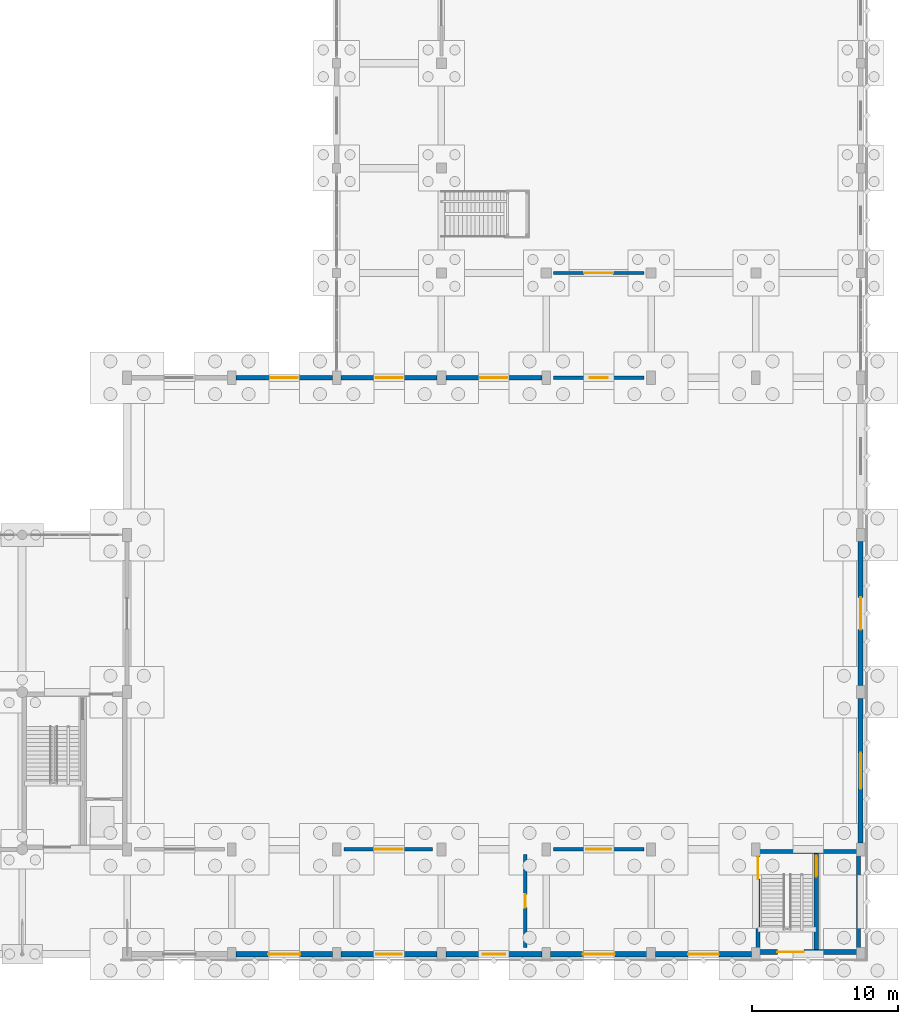
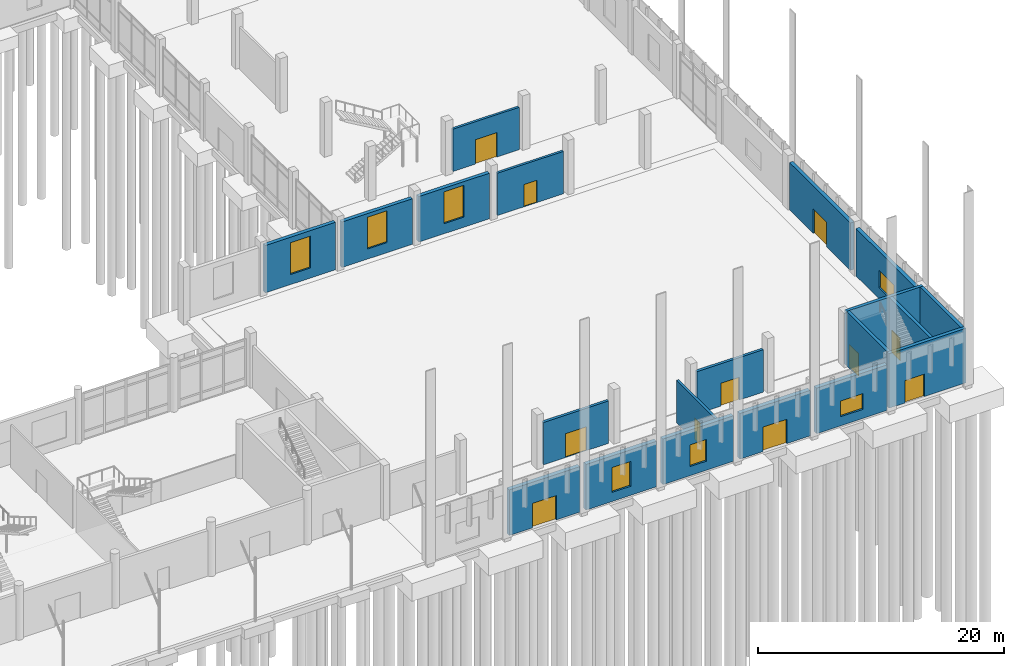
# One storey, part 89 of 109: 20 walls, 11 doors, 7 windows, 18 openings.
"""IFC4 building model written with IfcOpenShell, lengths in metres."""

from ifc_helpers import new_model, si_unit, direction, frame, frame_2d, origin, place, context, subcontext, project, spatial, rectangle, extrude, material, layer, layer_set, type_object, element, fill, save


model = new_model("IFC4")

# Units and contexts
model_context = context("Model", 3, precision=1e-05, world=origin(), true_north=direction((0.0, 1.0)))
body_context = subcontext(model_context, "Body", "Model", "MODEL_VIEW")
ifc_project = project(units=[si_unit("LENGTHUNIT", "METRE"), si_unit("AREAUNIT", "SQUARE_METRE"), si_unit("VOLUMEUNIT", "CUBIC_METRE"), si_unit("PLANEANGLEUNIT", "RADIAN"), si_unit("MASSUNIT", "GRAM", prefix="KILO")], contexts=[model_context])

# Site, building, storey
site_placement = place(None, origin())
site = spatial("IfcSite", under=ifc_project, at=site_placement, CompositionType="ELEMENT")
building_placement = place(site_placement, origin())
building = spatial("IfcBuilding", under=site, at=building_placement, Name="Lusvemor Sports Hall", CompositionType="ELEMENT")
storey_placement = place(building_placement, origin())
storey = spatial("IfcBuildingStorey", under=building, at=storey_placement, Name="L00", CompositionType="ELEMENT", Elevation=0.0)

# Wall, opening, door
ifc_material_1 = material(Name="Precast granite-faced Concrete C40/50 architectural cladding", Category="masonry")
ifc_layer_1 = layer(ifc_material_1, 0.39501953125)
ifc_layer_set_1 = layer_set([ifc_layer_1], Name="Precast granite-faced Concrete C40/50 architectural cladding")
wall_type_1 = type_object("IfcWallType", Name="EW_GRANITE_395", PredefinedType="STANDARD", material=ifc_layer_set_1)
wall_1_placement = place(storey_placement, frame((132.904052734375, 0.0, 0.0), z_axis=(0.0, 0.0, 1.0), x_axis=(-1.0, 0.0, 0.0)))
wall_1 = element("IfcWall", 1, at=wall_1_placement, inside=storey, type_object=wall_type_1, Name="Exterior Wall EW-V2S-L00-1", PredefinedType="STANDARD", context=body_context, shape_type="SweptSolid", body=[
    extrude(rectangle(XDim=6.608154296875, YDim=0.39501953125, at=frame_2d((3.30419921875, 0.0))), origin(), (0.0, 0.0, 1.0), 4.514892578125),
])
opening_1_placement = place(wall_1_placement, frame((2.194091796875, 0.0, 0.0)))
opening_1 = element("IfcOpeningElement", 2, at=opening_1_placement, cuts=wall_1, Name="Opening ED03", PredefinedType="OPENING", context=body_context, shape_type="SweptSolid", body=[
    extrude(rectangle(XDim=2.219970703125, YDim=2.419921875, at=frame_2d((1.10986328125, 1.2099609375))), frame((0.0, 0.197509765625, 0.0), z_axis=(0.0, -1.0, 0.0), x_axis=(1.0, 0.0, 0.0)), (0.0, 0.0, 1.0), 0.39501953125),
])
ifc_material_2 = material(Name="Thermally broken bronze-anodized aluminium", Category="aluminium")
door_type_1 = type_object("IfcDoorType", Name="EDR_COURT_EXIT_222x242", OperationType="NOTDEFINED", PredefinedType="DOOR", material=ifc_material_2)
door_1_placement = place(opening_1_placement, origin())
door_1 = element("IfcDoor", 3, at=door_1_placement, inside=storey, type_object=door_type_1, Name="DR-022", OperationType="SINGLE_SWING_RIGHT", OverallHeight=2.419921875, OverallWidth=2.219970703125, PredefinedType="DOOR", context=body_context, shape_type="SweptSolid", body=[
    extrude(rectangle(XDim=2.219970703125, YDim=2.419921875, at=frame_2d((1.10986328125, 1.2099609375))), frame((0.0, 0.02490234375, 0.0), z_axis=(0.0, -1.0, 0.0), x_axis=(1.0, 0.0, 0.0)), (0.0, 0.0, 1.0), 0.050048828125),
])
fill(opening_1, door_1)

# Wall, opening, window
wall_2_placement = place(storey_placement, frame((140.10400390625, 0.0, 0.0), z_axis=(0.0, 0.0, 1.0), x_axis=(-1.0, 0.0, 0.0)))
wall_2 = element("IfcWall", 4, at=wall_2_placement, inside=storey, type_object=wall_type_1, Name="Exterior Wall EW-V2S-L00-2", PredefinedType="STANDARD", context=body_context, shape_type="SweptSolid", body=[
    extrude(rectangle(XDim=6.60791015625, YDim=0.39501953125, at=frame_2d((3.303955078125, 0.0))), origin(), (0.0, 0.0, 1.0), 4.514892578125),
])
opening_2_placement = place(wall_2_placement, frame((2.424072265625, 0.0, 0.89990234375)))
opening_2 = element("IfcOpeningElement", 5, at=opening_2_placement, cuts=wall_2, Name="Opening WN30", PredefinedType="OPENING", context=body_context, shape_type="SweptSolid", body=[
    extrude(rectangle(XDim=1.760009765625, YDim=2.4599609375, at=frame_2d((0.8798828125, 1.22998046875))), frame((0.0, 0.197509765625, 0.0), z_axis=(0.0, -1.0, 0.0), x_axis=(1.0, 0.0, 0.0)), (0.0, 0.0, 1.0), 0.39501953125),
])
ifc_material_3 = material(Name="Solar-control laminated double glazing", Category="glass")
window_type_1 = type_object("IfcWindowType", Name="WIN_30", PartitioningType="SINGLE_PANEL", PredefinedType="WINDOW", material=ifc_material_3)
window_1_placement = place(opening_2_placement, origin())
window_1 = element("IfcWindow", 6, at=window_1_placement, inside=storey, type_object=window_type_1, Name="East Concourse Boulevard Window 2", OverallHeight=2.4599609375, OverallWidth=1.760009765625, PartitioningType="SINGLE_PANEL", PredefinedType="WINDOW", context=body_context, shape_type="SweptSolid", body=[
    extrude(rectangle(XDim=1.760009765625, YDim=2.4599609375, at=frame_2d((0.8798828125, 1.22998046875))), frame((0.0, 0.030029296875, 0.0), z_axis=(0.0, -1.0, 0.0), x_axis=(1.0, 0.0, 0.0)), (0.0, 0.0, 1.0), 0.06005859375),
])
fill(opening_2, window_1)

wall_3_placement = place(storey_placement, frame((147.303955078125, 0.0, 0.0), z_axis=(0.0, 0.0, 1.0), x_axis=(-1.0, 0.0, 0.0)))
wall_3 = element("IfcWall", 7, at=wall_3_placement, inside=storey, type_object=wall_type_1, Name="Exterior Wall EW-V2S-L00-3", PredefinedType="STANDARD", context=body_context, shape_type="SweptSolid", body=[
    extrude(rectangle(XDim=6.60791015625, YDim=0.39501953125, at=frame_2d((3.303955078125, 0.0))), origin(), (0.0, 0.0, 1.0), 4.514892578125),
])
opening_3_placement = place(wall_3_placement, frame((2.52392578125, 0.0, 0.89990234375)))
opening_3 = element("IfcOpeningElement", 8, at=opening_3_placement, cuts=wall_3, Name="Opening WN31", PredefinedType="OPENING", context=body_context, shape_type="SweptSolid", body=[
    extrude(rectangle(XDim=1.56005859375, YDim=2.159912109375, at=frame_2d((0.780029296875, 1.080078125))), frame((0.0, 0.197509765625, 0.0), z_axis=(0.0, -1.0, 0.0), x_axis=(1.0, 0.0, 0.0)), (0.0, 0.0, 1.0), 0.39501953125),
])
ifc_material_4 = material(Name="Solar-control laminated double glazing", Category="glass")
window_type_2 = type_object("IfcWindowType", Name="WIN_31", PartitioningType="SINGLE_PANEL", PredefinedType="WINDOW", material=ifc_material_4)
window_2_placement = place(opening_3_placement, origin())
window_2 = element("IfcWindow", 9, at=window_2_placement, inside=storey, type_object=window_type_2, Name="East Concourse Boulevard Window 3", OverallHeight=2.159912109375, OverallWidth=1.56005859375, PartitioningType="SINGLE_PANEL", PredefinedType="WINDOW", context=body_context, shape_type="SweptSolid", body=[
    extrude(rectangle(XDim=1.56005859375, YDim=2.159912109375, at=frame_2d((0.780029296875, 1.080078125))), frame((0.0, 0.030029296875, 0.0), z_axis=(0.0, -1.0, 0.0), x_axis=(1.0, 0.0, 0.0)), (0.0, 0.0, 1.0), 0.06005859375),
])
fill(opening_3, window_2)

# Wall, opening, door
wall_4_placement = place(storey_placement, frame((154.50390625, 0.0, 0.0), z_axis=(0.0, 0.0, 1.0), x_axis=(-1.0, 0.0, 0.0)))
wall_4 = element("IfcWall", 10, at=wall_4_placement, inside=storey, type_object=wall_type_1, Name="Exterior Wall EW-V2S-L00-4", PredefinedType="STANDARD", context=body_context, shape_type="SweptSolid", body=[
    extrude(rectangle(XDim=6.60791015625, YDim=0.39501953125, at=frame_2d((3.303955078125, 0.0))), origin(), (0.0, 0.0, 1.0), 4.514892578125),
])
opening_4_placement = place(wall_4_placement, frame((2.194091796875, 0.0, 0.0)))
opening_4 = element("IfcOpeningElement", 11, at=opening_4_placement, cuts=wall_4, Name="Opening ED03", PredefinedType="OPENING", context=body_context, shape_type="SweptSolid", body=[
    extrude(rectangle(XDim=2.219970703125, YDim=2.419921875, at=frame_2d((1.10986328125, 1.2099609375))), frame((0.0, 0.197509765625, 0.0), z_axis=(0.0, -1.0, 0.0), x_axis=(1.0, 0.0, 0.0)), (0.0, 0.0, 1.0), 0.39501953125),
])
door_2_placement = place(opening_4_placement, origin())
door_2 = element("IfcDoor", 12, at=door_2_placement, inside=storey, type_object=door_type_1, Name="DR-023", OperationType="SINGLE_SWING_LEFT", OverallHeight=2.419921875, OverallWidth=2.219970703125, PredefinedType="DOOR", context=body_context, shape_type="SweptSolid", body=[
    extrude(rectangle(XDim=2.219970703125, YDim=2.419921875, at=frame_2d((1.10986328125, 1.2099609375))), frame((0.0, 0.02490234375, 0.0), z_axis=(0.0, -1.0, 0.0), x_axis=(1.0, 0.0, 0.0)), (0.0, 0.0, 1.0), 0.050048828125),
])
fill(opening_4, door_2)

# Wall, opening, window
wall_5_placement = place(storey_placement, frame((161.7041015625, 0.0, 0.0), z_axis=(0.0, 0.0, 1.0), x_axis=(-1.0, 0.0, 0.0)))
wall_5 = element("IfcWall", 13, at=wall_5_placement, inside=storey, type_object=wall_type_1, Name="Exterior Wall EW-V2S-L00-5", PredefinedType="STANDARD", context=body_context, shape_type="SweptSolid", body=[
    extrude(rectangle(XDim=6.608154296875, YDim=0.39501953125, at=frame_2d((3.30419921875, 0.0))), origin(), (0.0, 0.0, 1.0), 4.514892578125),
])
opening_5_placement = place(wall_5_placement, frame((2.243896484375, 0.0, 0.89990234375)))
opening_5 = element("IfcOpeningElement", 14, at=opening_5_placement, cuts=wall_5, Name="Opening WN33", PredefinedType="OPENING", context=body_context, shape_type="SweptSolid", body=[
    extrude(rectangle(XDim=2.1201171875, YDim=1.56005859375, at=frame_2d((1.06005859375, 0.780029296875))), frame((0.0, 0.197509765625, 0.0), z_axis=(0.0, -1.0, 0.0), x_axis=(1.0, 0.0, 0.0)), (0.0, 0.0, 1.0), 0.39501953125),
])
ifc_material_5 = material(Name="Solar-control laminated double glazing", Category="glass")
window_type_3 = type_object("IfcWindowType", Name="WIN_33", PartitioningType="SINGLE_PANEL", PredefinedType="WINDOW", material=ifc_material_5)
window_3_placement = place(opening_5_placement, origin())
window_3 = element("IfcWindow", 15, at=window_3_placement, inside=storey, type_object=window_type_3, Name="East Concourse Boulevard Window 5", OverallHeight=1.56005859375, OverallWidth=2.1201171875, PartitioningType="SINGLE_PANEL", PredefinedType="WINDOW", context=body_context, shape_type="SweptSolid", body=[
    extrude(rectangle(XDim=2.1201171875, YDim=1.56005859375, at=frame_2d((1.06005859375, 0.780029296875))), frame((0.0, 0.030029296875, 0.0), z_axis=(0.0, -1.0, 0.0), x_axis=(1.0, 0.0, 0.0)), (0.0, 0.0, 1.0), 0.06005859375),
])
fill(opening_5, window_3)

ifc_material_6 = material(Name="Warm terracotta Art Nouveau ceramic cladding on Concrete C40/50 backing", Category="masonry")
ifc_layer_2 = layer(ifc_material_6, 0.340087890625)
ifc_layer_set_2 = layer_set([ifc_layer_2], Name="Warm terracotta Art Nouveau ceramic cladding on Concrete C40/50 backing")
wall_type_2 = type_object("IfcWallType", Name="EW_TERR_CAV_340", PredefinedType="STANDARD", material=ifc_layer_set_2)
wall_6_placement = place(storey_placement, frame((126.2958984375, 39.60009765625, 0.0), z_axis=(0.0, 0.0, 1.0), x_axis=(1.0, 0.0, 0.0)))
wall_6 = element("IfcWall", 16, at=wall_6_placement, inside=storey, type_object=wall_type_2, Name="Exterior Wall EW-V2N-L00-1", PredefinedType="STANDARD", context=body_context, shape_type="SweptSolid", body=[
    extrude(rectangle(XDim=6.608154296875, YDim=0.340087890625, at=frame_2d((3.30419921875, 0.0))), origin(), (0.0, 0.0, 1.0), 4.699951171875),
])
opening_6_placement = place(wall_6_placement, frame((2.37890625, 0.0, 1.0)))
opening_6 = element("IfcOpeningElement", 17, at=opening_6_placement, cuts=wall_6, Name="Opening WN04", PredefinedType="OPENING", context=body_context, shape_type="SweptSolid", body=[
    extrude(rectangle(XDim=1.85009765625, YDim=3.14990234375, at=frame_2d((0.925048828125, 1.574951171875))), frame((0.0, 0.169921875, 0.0), z_axis=(0.0, -1.0, 0.0), x_axis=(1.0, 0.0, 0.0)), (0.0, 0.0, 1.0), 0.340087890625),
])
ifc_material_7 = material(Name="Solar-control laminated double glazing", Category="glass")
window_type_4 = type_object("IfcWindowType", Name="WIN_04", PartitioningType="SINGLE_PANEL", PredefinedType="WINDOW", material=ifc_material_7)
window_4_placement = place(opening_6_placement, origin())
window_4 = element("IfcWindow", 18, at=window_4_placement, inside=storey, type_object=window_type_4, Name="Court 2/3 North Window L00-1", OverallHeight=3.14990234375, OverallWidth=1.85009765625, PartitioningType="SINGLE_PANEL", PredefinedType="WINDOW", context=body_context, shape_type="SweptSolid", body=[
    extrude(rectangle(XDim=1.85009765625, YDim=3.14990234375, at=frame_2d((0.925048828125, 1.574951171875))), frame((0.0, 0.030029296875, 0.0), z_axis=(0.0, -1.0, 0.0), x_axis=(1.0, 0.0, 0.0)), (0.0, 0.0, 1.0), 0.06005859375),
])
fill(opening_6, window_4)

wall_7_placement = place(storey_placement, frame((133.49609375, 39.60009765625, 0.0), z_axis=(0.0, 0.0, 1.0), x_axis=(1.0, 0.0, 0.0)))
wall_7 = element("IfcWall", 19, at=wall_7_placement, inside=storey, type_object=wall_type_2, Name="Exterior Wall EW-V2N-L00-2", PredefinedType="STANDARD", context=body_context, shape_type="SweptSolid", body=[
    extrude(rectangle(XDim=6.60791015625, YDim=0.340087890625, at=frame_2d((3.303955078125, 0.0))), origin(), (0.0, 0.0, 1.0), 4.514892578125),
])
opening_7_placement = place(wall_7_placement, frame((2.37890625, 0.0, 1.0)))
opening_7 = element("IfcOpeningElement", 20, at=opening_7_placement, cuts=wall_7, Name="Opening WN04", PredefinedType="OPENING", context=body_context, shape_type="SweptSolid", body=[
    extrude(rectangle(XDim=1.85009765625, YDim=3.14990234375, at=frame_2d((0.925048828125, 1.574951171875))), frame((0.0, 0.169921875, 0.0), z_axis=(0.0, -1.0, 0.0), x_axis=(1.0, 0.0, 0.0)), (0.0, 0.0, 1.0), 0.340087890625),
])
window_5_placement = place(opening_7_placement, origin())
window_5 = element("IfcWindow", 21, at=window_5_placement, inside=storey, type_object=window_type_4, Name="Court 2/3 North Window L00-2", OverallHeight=3.14990234375, OverallWidth=1.85009765625, PartitioningType="SINGLE_PANEL", PredefinedType="WINDOW", context=body_context, shape_type="SweptSolid", body=[
    extrude(rectangle(XDim=1.85009765625, YDim=3.14990234375, at=frame_2d((0.925048828125, 1.574951171875))), frame((0.0, 0.030029296875, 0.0), z_axis=(0.0, -1.0, 0.0), x_axis=(1.0, 0.0, 0.0)), (0.0, 0.0, 1.0), 0.06005859375),
])
fill(opening_7, window_5)

wall_8_placement = place(storey_placement, frame((140.696044921875, 39.60009765625, 0.0), z_axis=(0.0, 0.0, 1.0), x_axis=(1.0, 0.0, 0.0)))
wall_8 = element("IfcWall", 22, at=wall_8_placement, inside=storey, type_object=wall_type_2, Name="Exterior Wall EW-V2N-L00-3", PredefinedType="STANDARD", context=body_context, shape_type="SweptSolid", body=[
    extrude(rectangle(XDim=6.60791015625, YDim=0.340087890625, at=frame_2d((3.303955078125, 0.0))), origin(), (0.0, 0.0, 1.0), 4.514892578125),
])
opening_8_placement = place(wall_8_placement, frame((2.37890625, 0.0, 1.0)))
opening_8 = element("IfcOpeningElement", 23, at=opening_8_placement, cuts=wall_8, Name="Opening WN04", PredefinedType="OPENING", context=body_context, shape_type="SweptSolid", body=[
    extrude(rectangle(XDim=1.85009765625, YDim=3.14990234375, at=frame_2d((0.925048828125, 1.574951171875))), frame((0.0, 0.169921875, 0.0), z_axis=(0.0, -1.0, 0.0), x_axis=(1.0, 0.0, 0.0)), (0.0, 0.0, 1.0), 0.340087890625),
])
window_6_placement = place(opening_8_placement, origin())
window_6 = element("IfcWindow", 24, at=window_6_placement, inside=storey, type_object=window_type_4, Name="Court 2/3 North Window L00-3", OverallHeight=3.14990234375, OverallWidth=1.85009765625, PartitioningType="SINGLE_PANEL", PredefinedType="WINDOW", context=body_context, shape_type="SweptSolid", body=[
    extrude(rectangle(XDim=1.85009765625, YDim=3.14990234375, at=frame_2d((0.925048828125, 1.574951171875))), frame((0.0, 0.030029296875, 0.0), z_axis=(0.0, -1.0, 0.0), x_axis=(1.0, 0.0, 0.0)), (0.0, 0.0, 1.0), 0.06005859375),
])
fill(opening_8, window_6)

wall_9_placement = place(storey_placement, frame((169.199951171875, 17.553955078125, 0.0), z_axis=(0.0, 0.0, 1.0), x_axis=(0.0, -1.0, 0.0)))
wall_9 = element("IfcWall", 25, at=wall_9_placement, inside=storey, type_object=wall_type_2, Name="Exterior Wall EW-V2E-L00-1", PredefinedType="STANDARD", context=body_context, shape_type="SweptSolid", body=[
    extrude(rectangle(XDim=9.907958984375, YDim=0.340087890625, at=frame_2d((4.9541015625, 0.0))), origin(), (0.0, 0.0, 1.0), 4.699951171875),
])
opening_9_placement = place(wall_9_placement, frame((3.714111328125, 0.0, 1.10009765625)))
opening_9 = element("IfcOpeningElement", 26, at=opening_9_placement, cuts=wall_9, Name="Opening WN34", PredefinedType="OPENING", context=body_context, shape_type="SweptSolid", body=[
    extrude(rectangle(XDim=2.47998046875, YDim=1.739990234375, at=frame_2d((1.239990234375, 0.8701171875))), frame((0.0, 0.169921875, 0.0), z_axis=(0.0, -1.0, 0.0), x_axis=(1.0, 0.0, 0.0)), (0.0, 0.0, 1.0), 0.340087890625),
])
ifc_material_8 = material(Name="Solar-control laminated double glazing", Category="glass")
window_type_5 = type_object("IfcWindowType", Name="WIN_34", PartitioningType="SINGLE_PANEL", PredefinedType="WINDOW", material=ifc_material_8)
window_7_placement = place(opening_9_placement, origin())
window_7 = element("IfcWindow", 27, at=window_7_placement, inside=storey, type_object=window_type_5, Name="East Facade Window L00-1", OverallHeight=1.739990234375, OverallWidth=2.47998046875, PartitioningType="SINGLE_PANEL", PredefinedType="WINDOW", context=body_context, shape_type="SweptSolid", body=[
    extrude(rectangle(XDim=2.47998046875, YDim=1.739990234375, at=frame_2d((1.239990234375, 0.8701171875))), frame((0.0, 0.030029296875, 0.0), z_axis=(0.0, -1.0, 0.0), x_axis=(1.0, 0.0, 0.0)), (0.0, 0.0, 1.0), 0.06005859375),
])
fill(opening_9, window_7)

# Wall, opening, door
wall_10_placement = place(storey_placement, frame((169.199951171875, 28.35400390625, 0.0), z_axis=(0.0, 0.0, 1.0), x_axis=(0.0, -1.0, 0.0)))
wall_10 = element("IfcWall", 28, at=wall_10_placement, inside=storey, type_object=wall_type_2, Name="Exterior Wall EW-V2E-L00-2", PredefinedType="STANDARD", context=body_context, shape_type="SweptSolid", body=[
    extrude(rectangle(XDim=9.907958984375, YDim=0.340087890625, at=frame_2d((4.9541015625, 0.0))), origin(), (0.0, 0.0, 1.0), 4.699951171875),
])
opening_10_placement = place(wall_10_placement, frame((3.843994140625, 0.0, 0.0)))
opening_10 = element("IfcOpeningElement", 29, at=opening_10_placement, cuts=wall_10, Name="Opening ED03", PredefinedType="OPENING", context=body_context, shape_type="SweptSolid", body=[
    extrude(rectangle(XDim=2.219970703125, YDim=2.419921875, at=frame_2d((1.10986328125, 1.2099609375))), frame((0.0, 0.169921875, 0.0), z_axis=(0.0, -1.0, 0.0), x_axis=(1.0, 0.0, 0.0)), (0.0, 0.0, 1.0), 0.340087890625),
])
door_3_placement = place(opening_10_placement, origin())
door_3 = element("IfcDoor", 30, at=door_3_placement, inside=storey, type_object=door_type_1, Name="DR-024", OperationType="SINGLE_SWING_LEFT", OverallHeight=2.419921875, OverallWidth=2.219970703125, PredefinedType="DOOR", context=body_context, shape_type="SweptSolid", body=[
    extrude(rectangle(XDim=2.219970703125, YDim=2.419921875, at=frame_2d((1.10986328125, 1.2099609375))), frame((0.0, 0.02490234375, 0.0), z_axis=(0.0, -1.0, 0.0), x_axis=(1.0, 0.0, 0.0)), (0.0, 0.0, 1.0), 0.050048828125),
])
fill(opening_10, door_3)

ifc_material_9 = material(Name="Plastered ceramic masonry blockwork", Category="masonry")
ifc_layer_3 = layer(ifc_material_9, 0.219970703125)
ifc_layer_set_3 = layer_set([ifc_layer_3], Name="Plastered ceramic masonry blockwork")
wall_type_3 = type_object("IfcWallType", Name="IW_COMP_224", PredefinedType="STANDARD", material=ifc_layer_set_3)
wall_11_placement = place(storey_placement, frame((146.14990234375, 0.449951171875, 0.0), z_axis=(0.0, 0.0, 1.0), x_axis=(0.0, 1.0, 0.0)))
wall_11 = element("IfcWall", 31, at=wall_11_placement, inside=storey, type_object=wall_type_3, Name="Partition IW-L00-V2SDIV", PredefinedType="STANDARD", context=body_context, shape_type="SweptSolid", body=[
    extrude(rectangle(XDim=6.400146484375, YDim=0.219970703125, at=frame_2d((3.2001953125, 0.0))), origin(), (0.0, 0.0, 1.0), 4.199951171875),
])
opening_11_placement = place(wall_11_placement, frame((2.739990234375, 0.0, 0.0)))
opening_11 = element("IfcOpeningElement", 32, at=opening_11_placement, cuts=wall_11, Name="Opening ID13", PredefinedType="OPENING", context=body_context, shape_type="SweptSolid", body=[
    extrude(rectangle(XDim=0.919921875, YDim=2.1201171875, at=frame_2d((0.4599609375, 1.06005859375))), frame((0.0, 0.10986328125, 0.0), z_axis=(0.0, -1.0, 0.0), x_axis=(1.0, 0.0, 0.0)), (0.0, 0.0, 1.0), 0.219970703125),
])
ifc_material_10 = material(Name="Acoustic solid-core hardwood door leaf in steel frame", Category="steel")
door_type_2 = type_object("IfcDoorType", Name="IDR_ADMIN_092", OperationType="NOTDEFINED", PredefinedType="DOOR", material=ifc_material_10)
door_4_placement = place(opening_11_placement, origin())
door_4 = element("IfcDoor", 33, at=door_4_placement, inside=storey, type_object=door_type_2, Name="DR-152", OperationType="SINGLE_SWING_RIGHT", OverallHeight=2.1201171875, OverallWidth=0.919921875, PredefinedType="DOOR", context=body_context, shape_type="SweptSolid", body=[
    extrude(rectangle(XDim=0.919921875, YDim=2.1201171875, at=frame_2d((0.4599609375, 1.06005859375))), frame((0.0, 0.02490234375, 0.0), z_axis=(0.0, -1.0, 0.0), x_axis=(1.0, 0.0, 0.0)), (0.0, 0.0, 1.0), 0.050048828125),
])
fill(opening_11, door_4)

wall_12_placement = place(storey_placement, frame((148.10009765625, 39.60009765625, 0.0), z_axis=(0.0, 0.0, 1.0), x_axis=(1.0, 0.0, 0.0)))
wall_12 = element("IfcWall", 34, at=wall_12_placement, inside=storey, type_object=wall_type_3, Name="Partition IW-L00-ELINK-S", PredefinedType="STANDARD", context=body_context, shape_type="SweptSolid", body=[
    extrude(rectangle(XDim=6.199951171875, YDim=0.219970703125, at=frame_2d((3.10009765625, 0.0))), origin(), (0.0, 0.0, 1.0), 4.199951171875),
])
opening_12_placement = place(wall_12_placement, frame((2.469970703125, 0.0, 0.0)))
opening_12 = element("IfcOpeningElement", 35, at=opening_12_placement, cuts=wall_12, Name="Opening ID07", PredefinedType="OPENING", context=body_context, shape_type="SweptSolid", body=[
    extrude(rectangle(XDim=1.260009765625, YDim=2.199951171875, at=frame_2d((0.6298828125, 1.10009765625))), frame((0.0, 0.10986328125, 0.0), z_axis=(0.0, -1.0, 0.0), x_axis=(1.0, 0.0, 0.0)), (0.0, 0.0, 1.0), 0.219970703125),
])
ifc_material_11 = material(Name="Acoustic solid-core hardwood door leaf in steel frame", Category="steel")
door_type_3 = type_object("IfcDoorType", Name="IDR_CLINIC_126", OperationType="NOTDEFINED", PredefinedType="DOOR", material=ifc_material_11)
door_5_placement = place(opening_12_placement, origin())
door_5 = element("IfcDoor", 36, at=door_5_placement, inside=storey, type_object=door_type_3, Name="DR-153", OperationType="SINGLE_SWING_LEFT", OverallHeight=2.199951171875, OverallWidth=1.260009765625, PredefinedType="DOOR", context=body_context, shape_type="SweptSolid", body=[
    extrude(rectangle(XDim=1.260009765625, YDim=2.199951171875, at=frame_2d((0.6298828125, 1.10009765625))), frame((0.0, 0.02490234375, 0.0), z_axis=(0.0, -1.0, 0.0), x_axis=(1.0, 0.0, 0.0)), (0.0, 0.0, 1.0), 0.050048828125),
])
fill(opening_12, door_5)

wall_13_placement = place(storey_placement, frame((148.10009765625, 46.800048828125, 0.0), z_axis=(0.0, 0.0, 1.0), x_axis=(1.0, 0.0, 0.0)))
wall_13 = element("IfcWall", 37, at=wall_13_placement, inside=storey, type_object=wall_type_3, Name="Partition IW-L00-ELINK-N", PredefinedType="STANDARD", context=body_context, shape_type="SweptSolid", body=[
    extrude(rectangle(XDim=6.199951171875, YDim=0.219970703125, at=frame_2d((3.10009765625, 0.0))), origin(), (0.0, 0.0, 1.0), 4.199951171875),
])
opening_13_placement = place(wall_13_placement, frame((2.10009765625, 0.0, 0.0)))
opening_13 = element("IfcOpeningElement", 38, at=opening_13_placement, cuts=wall_13, Name="Opening ID03", PredefinedType="OPENING", context=body_context, shape_type="SweptSolid", body=[
    extrude(rectangle(XDim=2.0, YDim=2.419921875, at=frame_2d((1.0, 1.2099609375))), frame((0.0, 0.10986328125, 0.0), z_axis=(0.0, -1.0, 0.0), x_axis=(1.0, 0.0, 0.0)), (0.0, 0.0, 1.0), 0.219970703125),
])
ifc_material_12 = material(Name="Acoustic solid-core hardwood door leaf in steel frame", Category="steel")
door_type_4 = type_object("IfcDoorType", Name="IDR_CLIMB_DBL_200", OperationType="NOTDEFINED", PredefinedType="DOOR", material=ifc_material_12)
door_6_placement = place(opening_13_placement, origin())
door_6 = element("IfcDoor", 39, at=door_6_placement, inside=storey, type_object=door_type_4, Name="DR-154", OperationType="SINGLE_SWING_RIGHT", OverallHeight=2.419921875, OverallWidth=2.0, PredefinedType="DOOR", context=body_context, shape_type="SweptSolid", body=[
    extrude(rectangle(XDim=2.0, YDim=2.419921875, at=frame_2d((1.0, 1.2099609375))), frame((0.0, 0.02490234375, 0.0), z_axis=(0.0, -1.0, 0.0), x_axis=(1.0, 0.0, 0.0)), (0.0, 0.0, 1.0), 0.050048828125),
])
fill(opening_13, door_6)

ifc_material_13 = material(Name="Plastered ceramic masonry blockwork", Category="masonry")
ifc_layer_4 = layer(ifc_material_13, 0.25)
ifc_layer_set_4 = layer_set([ifc_layer_4], Name="Plastered ceramic masonry blockwork")
wall_type_4 = type_object("IfcWallType", Name="IW_COMP_248", PredefinedType="STANDARD", material=ifc_layer_set_4)
wall_14_placement = place(storey_placement, frame((133.699951171875, 7.199951171875, 0.0), z_axis=(0.0, 0.0, 1.0), x_axis=(1.0, 0.0, 0.0)))
wall_14 = element("IfcWall", 40, at=wall_14_placement, inside=storey, type_object=wall_type_4, Name="Partition IW-L00-V2S-2", PredefinedType="STANDARD", context=body_context, shape_type="SweptSolid", body=[
    extrude(rectangle(XDim=6.10009765625, YDim=0.25, at=frame_2d((3.050048828125, 0.0))), origin(), (0.0, 0.0, 1.0), 4.199951171875),
])
opening_14_placement = place(wall_14_placement, frame((2.070068359375, 0.0, 0.0)))
opening_14 = element("IfcOpeningElement", 41, at=opening_14_placement, cuts=wall_14, Name="Opening ID02", PredefinedType="OPENING", context=body_context, shape_type="SweptSolid", body=[
    extrude(rectangle(XDim=1.9599609375, YDim=2.360107421875, at=frame_2d((0.97998046875, 1.18017578125))), frame((0.0, 0.125, 0.0), z_axis=(0.0, -1.0, 0.0), x_axis=(1.0, 0.0, 0.0)), (0.0, 0.0, 1.0), 0.25),
])
ifc_material_14 = material(Name="Acoustic solid-core hardwood door leaf in steel frame", Category="steel")
door_type_5 = type_object("IfcDoorType", Name="IDR_COURT_DBL_196", OperationType="NOTDEFINED", PredefinedType="DOOR", material=ifc_material_14)
door_7_placement = place(opening_14_placement, origin())
door_7 = element("IfcDoor", 42, at=door_7_placement, inside=storey, type_object=door_type_5, Name="DR-150", OperationType="SINGLE_SWING_RIGHT", OverallHeight=2.360107421875, OverallWidth=1.9599609375, PredefinedType="DOOR", context=body_context, shape_type="SweptSolid", body=[
    extrude(rectangle(XDim=1.9599609375, YDim=2.360107421875, at=frame_2d((0.97998046875, 1.18017578125))), frame((0.0, 0.02490234375, 0.0), z_axis=(0.0, -1.0, 0.0), x_axis=(1.0, 0.0, 0.0)), (0.0, 0.0, 1.0), 0.050048828125),
])
fill(opening_14, door_7)

wall_15_placement = place(storey_placement, frame((148.10009765625, 7.199951171875, 0.0), z_axis=(0.0, 0.0, 1.0), x_axis=(1.0, 0.0, 0.0)))
wall_15 = element("IfcWall", 43, at=wall_15_placement, inside=storey, type_object=wall_type_4, Name="Partition IW-L00-V2S-3", PredefinedType="STANDARD", context=body_context, shape_type="SweptSolid", body=[
    extrude(rectangle(XDim=6.199951171875, YDim=0.25, at=frame_2d((3.10009765625, 0.0))), origin(), (0.0, 0.0, 1.0), 4.199951171875),
])
opening_15_placement = place(wall_15_placement, frame((2.25, 0.0, 0.0)))
opening_15 = element("IfcOpeningElement", 44, at=opening_15_placement, cuts=wall_15, Name="Opening DR-FD60-03", PredefinedType="OPENING", context=body_context, shape_type="SweptSolid", body=[
    extrude(rectangle(XDim=1.699951171875, YDim=2.260009765625, at=frame_2d((0.85009765625, 1.1298828125))), frame((0.0, 0.125, 0.0), z_axis=(0.0, -1.0, 0.0), x_axis=(1.0, 0.0, 0.0)), (0.0, 0.0, 1.0), 0.25),
])
ifc_material_15 = material(Name="Fire-rated insulated painted steel door assembly", Category="steel")
door_type_6 = type_object("IfcDoorType", Name="IDR_STORE_FD60_170", OperationType="NOTDEFINED", PredefinedType="DOOR", material=ifc_material_15)
door_8_placement = place(opening_15_placement, origin())
door_8 = element("IfcDoor", 45, at=door_8_placement, inside=storey, type_object=door_type_6, Name="DR-151", OperationType="SINGLE_SWING_LEFT", OverallHeight=2.260009765625, OverallWidth=1.699951171875, PredefinedType="DOOR", context=body_context, shape_type="SweptSolid", body=[
    extrude(rectangle(XDim=1.699951171875, YDim=2.260009765625, at=frame_2d((0.85009765625, 1.1298828125))), frame((0.0, 0.02490234375, 0.0), z_axis=(0.0, -1.0, 0.0), x_axis=(1.0, 0.0, 0.0)), (0.0, 0.0, 1.0), 0.050048828125),
])
fill(opening_15, door_8)

# Wall
ifc_material_16 = material(Name="Concrete C40/50", Category="concrete")
ifc_layer_5 = layer(ifc_material_16, 0.300048828125)
ifc_layer_set_5 = layer_set([ifc_layer_5], Name="Concrete C40/50")
wall_type_5 = type_object("IfcWallType", Name="WALL_CORE_300_INT", PredefinedType="SHEAR", material=ifc_layer_set_5)
wall_16_placement = place(storey_placement, frame((162.0, 7.050048828125, 0.0), z_axis=(0.0, 0.0, 1.0), x_axis=(1.0, 0.0, 0.0)))
element("IfcWall", 46, at=wall_16_placement, inside=storey, type_object=wall_type_5, Name="Core C8 Southeast Stacked Shear Wall N (L00)", PredefinedType="SHEAR", context=body_context, shape_type="SweptSolid", body=[
    extrude(rectangle(XDim=7.199951171875, YDim=0.300048828125, at=frame_2d((3.60009765625, 0.0))), origin(), (0.0, 0.0, 1.0), 5.39990234375),
])

# Wall, opening, door
wall_17_placement = place(storey_placement, frame((162.14990234375, 0.300048828125, 0.0), z_axis=(0.0, 0.0, 1.0), x_axis=(0.0, 1.0, 0.0)))
wall_17 = element("IfcWall", 47, at=wall_17_placement, inside=storey, type_object=wall_type_5, Name="Core C8 Southeast Stacked Shear Wall W (L00)", PredefinedType="SHEAR", context=body_context, shape_type="SweptSolid", body=[
    extrude(rectangle(XDim=6.599853515625, YDim=0.300048828125, at=frame_2d((3.2998046875, 0.0))), origin(), (0.0, 0.0, 1.0), 5.39990234375),
])
opening_16_placement = place(wall_17_placement, frame((4.860107421875, 0.0, 0.0)))
opening_16 = element("IfcOpeningElement", 48, at=opening_16_placement, cuts=wall_17, Name="Opening DR-FD60-01", PredefinedType="OPENING", context=body_context, shape_type="SweptSolid", body=[
    extrude(rectangle(XDim=1.5400390625, YDim=2.219970703125, at=frame_2d((0.77001953125, 1.10986328125))), frame((0.0, 0.14990234375, 0.0), z_axis=(0.0, -1.0, 0.0), x_axis=(1.0, 0.0, 0.0)), (0.0, 0.0, 1.0), 0.300048828125),
])
ifc_material_17 = material(Name="Fire-rated insulated painted steel door assembly", Category="steel")
door_type_7 = type_object("IfcDoorType", Name="IDR_LOBBY_FD60_154", OperationType="NOTDEFINED", PredefinedType="DOOR", material=ifc_material_17)
door_9_placement = place(opening_16_placement, origin())
door_9 = element("IfcDoor", 49, at=door_9_placement, inside=storey, type_object=door_type_7, Name="DR-126", OperationType="SINGLE_SWING_LEFT", OverallHeight=2.219970703125, OverallWidth=1.5400390625, PredefinedType="DOOR", context=body_context, shape_type="SweptSolid", body=[
    extrude(rectangle(XDim=1.5400390625, YDim=2.219970703125, at=frame_2d((0.77001953125, 1.10986328125))), frame((0.0, 0.02490234375, 0.0), z_axis=(0.0, -1.0, 0.0), x_axis=(1.0, 0.0, 0.0)), (0.0, 0.0, 1.0), 0.050048828125),
])
fill(opening_16, door_9)

# Wall
wall_18_placement = place(storey_placement, frame((169.050048828125, 6.89990234375, 0.0), z_axis=(0.0, 0.0, 1.0), x_axis=(0.0, -1.0, 0.0)))
element("IfcWall", 50, at=wall_18_placement, inside=storey, type_object=wall_type_5, Name="Core C8 Southeast Stacked Shear Wall E (L00)", PredefinedType="SHEAR", context=body_context, shape_type="SweptSolid", body=[
    extrude(rectangle(XDim=6.599853515625, YDim=0.300048828125, at=frame_2d((3.2998046875, 0.0))), origin(), (0.0, 0.0, 1.0), 5.39990234375),
])

# Wall, opening, door
wall_19_placement = place(storey_placement, frame((166.14990234375, 0.300048828125, 0.0), z_axis=(0.0, 0.0, 1.0), x_axis=(0.0, 1.0, 0.0)))
wall_19 = element("IfcWall", 51, at=wall_19_placement, inside=storey, type_object=wall_type_5, Name="Core C8 Southeast Stacked Shear Wall M (L00)", PredefinedType="SHEAR", context=body_context, shape_type="SweptSolid", body=[
    extrude(rectangle(XDim=6.599853515625, YDim=0.300048828125, at=frame_2d((3.2998046875, 0.0))), origin(), (0.0, 0.0, 1.0), 5.39990234375),
])
opening_17_placement = place(wall_19_placement, frame((5.030029296875, 0.0, 0.0)))
opening_17 = element("IfcOpeningElement", 52, at=opening_17_placement, cuts=wall_19, Name="Opening DR-FD90-01", PredefinedType="OPENING", context=body_context, shape_type="SweptSolid", body=[
    extrude(rectangle(XDim=1.419921875, YDim=2.199951171875, at=frame_2d((0.7099609375, 1.10009765625))), frame((0.0, 0.14990234375, 0.0), z_axis=(0.0, -1.0, 0.0), x_axis=(1.0, 0.0, 0.0)), (0.0, 0.0, 1.0), 0.300048828125),
])
ifc_material_18 = material(Name="Fire-rated insulated painted steel door assembly", Category="steel")
door_type_8 = type_object("IfcDoorType", Name="IDR_STAIR_FD90_142", OperationType="NOTDEFINED", PredefinedType="DOOR", material=ifc_material_18)
door_10_placement = place(opening_17_placement, origin())
door_10 = element("IfcDoor", 53, at=door_10_placement, inside=storey, type_object=door_type_8, Name="DR-125", OperationType="SINGLE_SWING_RIGHT", OverallHeight=2.199951171875, OverallWidth=1.419921875, PredefinedType="DOOR", context=body_context, shape_type="SweptSolid", body=[
    extrude(rectangle(XDim=1.419921875, YDim=2.199951171875, at=frame_2d((0.7099609375, 1.10009765625))), frame((0.0, 0.02490234375, 0.0), z_axis=(0.0, -1.0, 0.0), x_axis=(1.0, 0.0, 0.0)), (0.0, 0.0, 1.0), 0.050048828125),
])
fill(opening_17, door_10)

ifc_material_19 = material(Name="Concrete C40/50", Category="concrete")
ifc_layer_6 = layer(ifc_material_19, 0.324951171875)
ifc_layer_set_6 = layer_set([ifc_layer_6], Name="Concrete C40/50")
wall_type_6 = type_object("IfcWallType", Name="WALL_CORE_325_EXT", PredefinedType="SHEAR", material=ifc_layer_set_6)
wall_20_placement = place(storey_placement, frame((169.199951171875, 0.14990234375, 0.0), z_axis=(0.0, 0.0, 1.0), x_axis=(-1.0, 0.0, 0.0)))
wall_20 = element("IfcWall", 54, at=wall_20_placement, inside=storey, type_object=wall_type_6, Name="Core C8 Southeast Stacked Shear Wall S (L00)", PredefinedType="SHEAR", context=body_context, shape_type="SweptSolid", body=[
    extrude(rectangle(XDim=7.199951171875, YDim=0.324951171875, at=frame_2d((3.60009765625, 0.0))), origin(), (0.0, 0.0, 1.0), 5.39990234375),
])
opening_18_placement = place(wall_20_placement, frame((3.89990234375, 0.0, 0.0)))
opening_18 = element("IfcOpeningElement", 55, at=opening_18_placement, cuts=wall_20, Name="Opening ED04", PredefinedType="OPENING", context=body_context, shape_type="SweptSolid", body=[
    extrude(rectangle(XDim=1.820068359375, YDim=2.219970703125, at=frame_2d((0.91015625, 1.10986328125))), frame((0.0, 0.16259765625, 0.0), z_axis=(0.0, -1.0, 0.0), x_axis=(1.0, 0.0, 0.0)), (0.0, 0.0, 1.0), 0.324951171875),
])
ifc_material_20 = material(Name="Thermally broken bronze-anodized aluminium", Category="aluminium")
door_type_9 = type_object("IfcDoorType", Name="EDR_STAIR_EXIT_182x222", OperationType="NOTDEFINED", PredefinedType="DOOR", material=ifc_material_20)
door_11_placement = place(opening_18_placement, origin())
door_11 = element("IfcDoor", 56, at=door_11_placement, inside=storey, type_object=door_type_9, Name="DR-008", OperationType="SINGLE_SWING_RIGHT", OverallHeight=2.219970703125, OverallWidth=1.820068359375, PredefinedType="DOOR", context=body_context, shape_type="SweptSolid", body=[
    extrude(rectangle(XDim=1.820068359375, YDim=2.219970703125, at=frame_2d((0.91015625, 1.10986328125))), frame((0.0, 0.02490234375, 0.0), z_axis=(0.0, -1.0, 0.0), x_axis=(1.0, 0.0, 0.0)), (0.0, 0.0, 1.0), 0.050048828125),
])
fill(opening_18, door_11)

save(model, "model.ifc")
